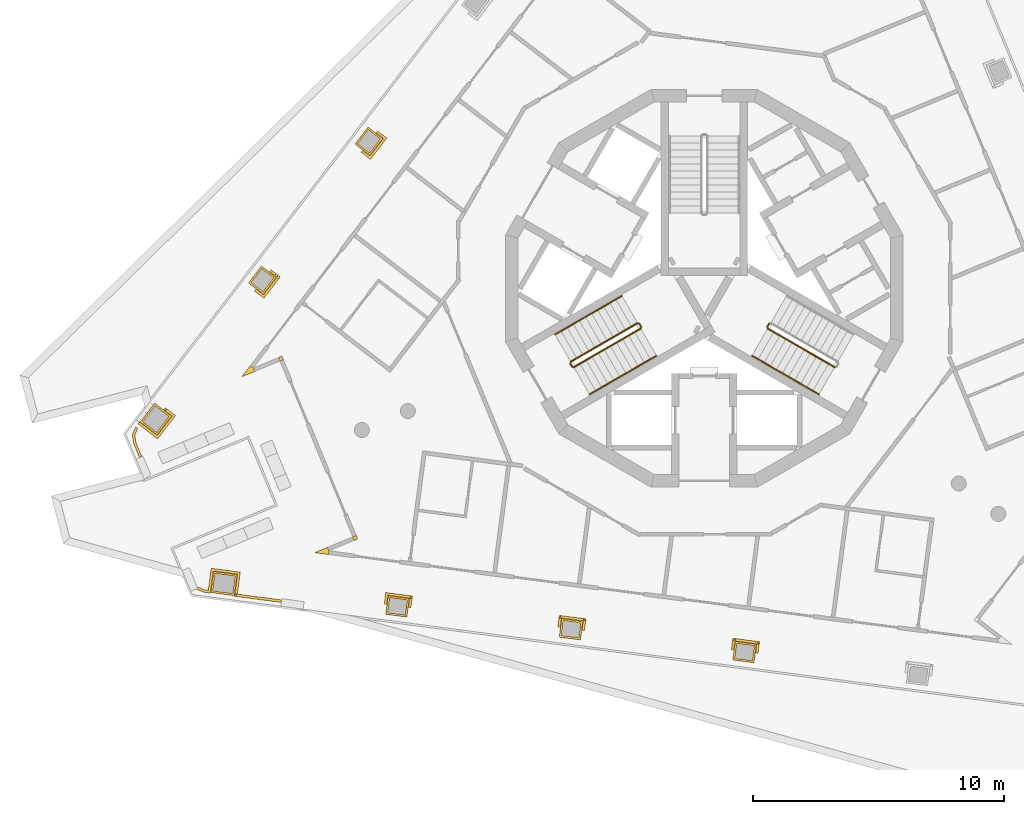
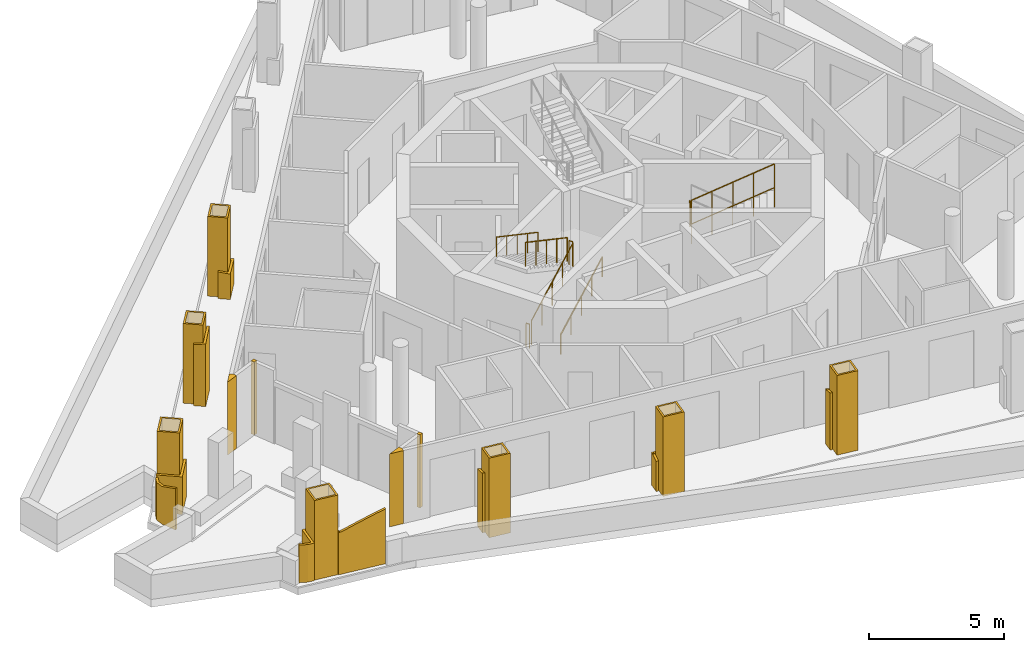
# One storey, part 8 of 12: 20 railings, 11 coverings.
"""IFC4 building model written with IfcOpenShell, lengths in metres."""

from ifc_helpers import new_model, si_unit, direction, frame, origin, origin_2d, place, context, subcontext, project, spatial, polyline, circle, outline, extrude, material, layer, layer_set, type_object, element, save


model = new_model("IFC4")

# Units and contexts
model_context = context("Model", 3, precision=1e-05, world=origin(), true_north=direction((0.0, 1.0)))
body_context = subcontext(model_context, "Body", "Model", "MODEL_VIEW")
ifc_project = project(units=[si_unit("LENGTHUNIT", "METRE"), si_unit("AREAUNIT", "SQUARE_METRE"), si_unit("VOLUMEUNIT", "CUBIC_METRE"), si_unit("PLANEANGLEUNIT", "RADIAN"), si_unit("MASSUNIT", "GRAM", prefix="KILO")], contexts=[model_context])

# Site, building, storey
site_placement = place(None, origin())
site = spatial("IfcSite", under=ifc_project, at=site_placement, CompositionType="ELEMENT")
building_placement = place(site_placement, origin())
building = spatial("IfcBuilding", under=site, at=building_placement, Name="Trine Commons Tower", CompositionType="ELEMENT")
storey_placement = place(building_placement, frame((0.0, 0.0, 271.800048828125)))
storey = spatial("IfcBuildingStorey", under=building, at=storey_placement, Name="L71", CompositionType="ELEMENT", Elevation=271.800048828125)

# Coverings
ifc_material_1 = material(Name="Aluminium-framed insulated wall panel", Category="aluminium")
ifc_layer_1 = layer(ifc_material_1, 0.14990234375)
ifc_layer_set_1 = layer_set([ifc_layer_1], Name="Aluminium-framed insulated wall panel")
covering_type_1 = type_object("IfcCoveringType", Name="Glazing corner post, aluminium", PredefinedType="CLADDING", material=ifc_layer_set_1)
covering_1_placement = place(storey_placement, origin())
element("IfcCovering", 1, at=covering_1_placement, inside=storey, type_object=covering_type_1, Name="Glazing corner post 8-01", PredefinedType="CLADDING", context=body_context, shape_type="SweptSolid", body=[
    extrude(outline(polyline([(62.0380859375, 59.324462890625), (61.919189453125, 59.416015625), (61.578369140625, 58.9716796875), (62.095458984375, 59.18603515625), (62.0380859375, 59.324462890625), (62.0380859375, 59.324462890625)])), origin(), (0.0, 0.0, 1.0), 3.300048828125),
])
covering_2_placement = place(storey_placement, origin())
element("IfcCovering", 2, at=covering_2_placement, inside=storey, type_object=covering_type_1, Name="Glazing corner post 8-10", PredefinedType="CLADDING", context=body_context, shape_type="SweptSolid", body=[
    extrude(outline(polyline([(65.033935546875, 51.895751953125), (65.0537109375, 52.04443359375), (64.99609375, 52.18310546875), (64.47900390625, 51.96875), (65.033935546875, 51.895751953125)])), origin(), (0.0, 0.0, 1.0), 3.300048828125),
])
covering_3_placement = place(storey_placement, origin())
element("IfcCovering", 3, at=covering_3_placement, inside=storey, type_object=covering_type_1, Name="Glazing corner post 8-11", PredefinedType="CLADDING", context=body_context, shape_type="SweptSolid", body=[
    extrude(outline(polyline([(66.056640625, 52.4599609375), (66.1953125, 52.517333984375), (66.137939453125, 52.65576171875), (65.999267578125, 52.598388671875), (66.056640625, 52.4599609375)])), origin(), (0.0, 0.0, 1.0), 3.300048828125),
])
covering_4_placement = place(storey_placement, origin())
element("IfcCovering", 4, at=covering_4_placement, inside=storey, type_object=covering_type_1, Name="Glazing corner post 8-12", PredefinedType="CLADDING", context=body_context, shape_type="SweptSolid", body=[
    extrude(outline(polyline([(63.041015625, 59.739990234375), (63.098388671875, 59.601318359375), (63.237060546875, 59.658935546875), (63.1796875, 59.79736328125), (63.041015625, 59.739990234375)])), origin(), (0.0, 0.0, 1.0), 3.300048828125),
])
ifc_material_2 = material(Name="Limestone, honed", Category="masonry")
ifc_layer_2 = layer(ifc_material_2, 0.074951171875)
ifc_layer_set_2 = layer_set([ifc_layer_2], Name="Limestone, honed")
covering_type_2 = type_object("IfcCoveringType", Name="Limestone column cladding 75", PredefinedType="CLADDING", material=ifc_layer_set_2)
covering_5_placement = place(storey_placement, origin())
element("IfcCovering", 5, at=covering_5_placement, inside=storey, type_object=covering_type_2, Name="Limestone pier cladding 8-03", PredefinedType="CLADDING", context=body_context, shape_type="SweptSolid", body=[
    extrude(outline(polyline([(81.236328125, 48.436279296875), (81.138427734375, 47.692626953125), (81.981201171875, 47.581787109375), (82.0791015625, 48.3251953125), (81.236328125, 48.436279296875)]), holes=[polyline([(81.30078125, 48.35205078125), (81.222412109375, 47.75732421875), (81.91650390625, 47.666015625), (81.994873046875, 48.2607421875), (81.30078125, 48.35205078125)])]), origin(), (0.0, 0.0, 1.0), 3.599853515625),
])
covering_6_placement = place(storey_placement, origin())
element("IfcCovering", 6, at=covering_6_placement, inside=storey, type_object=covering_type_2, Name="Limestone pier cladding 8-04", PredefinedType="CLADDING", context=body_context, shape_type="SweptSolid", body=[
    extrude(outline(polyline([(74.3232421875, 49.346435546875), (74.225341796875, 48.602783203125), (75.068115234375, 48.49169921875), (75.166015625, 49.2353515625), (74.3232421875, 49.346435546875)]), holes=[polyline([(74.3876953125, 49.26220703125), (74.309326171875, 48.66748046875), (75.00341796875, 48.575927734375), (75.081787109375, 49.1708984375), (74.3876953125, 49.26220703125)])]), origin(), (0.0, 0.0, 1.0), 3.599853515625),
])
covering_7_placement = place(storey_placement, origin())
element("IfcCovering", 7, at=covering_7_placement, inside=storey, type_object=covering_type_2, Name="Limestone pier cladding 8-05", PredefinedType="CLADDING", context=body_context, shape_type="SweptSolid", body=[
    extrude(outline(polyline([(67.41015625, 50.256591796875), (67.312255859375, 49.512939453125), (68.15478515625, 49.40185546875), (68.252685546875, 50.1455078125), (67.41015625, 50.256591796875)]), holes=[polyline([(67.474609375, 50.17236328125), (67.396240234375, 49.577392578125), (68.09033203125, 49.486083984375), (68.168701171875, 50.080810546875), (67.474609375, 50.17236328125)])]), origin(), (0.0, 0.0, 1.0), 3.599853515625),
])
covering_8_placement = place(storey_placement, origin())
element("IfcCovering", 8, at=covering_8_placement, inside=storey, type_object=covering_type_2, Name="Limestone pier cladding 8-06", PredefinedType="CLADDING", context=body_context, shape_type="SweptSolid", body=[
    extrude(outline(polyline([(60.4541015625, 51.22265625), (60.343017578125, 50.3798828125), (61.284912109375, 50.255859375), (61.39599609375, 51.0986328125), (60.4541015625, 51.22265625)]), holes=[polyline([(60.5185546875, 51.138427734375), (60.42724609375, 50.444580078125), (61.220458984375, 50.340087890625), (61.311767578125, 51.0341796875), (60.5185546875, 51.138427734375)])]), origin(), (0.0, 0.0, 1.0), 3.599853515625),
])
covering_9_placement = place(storey_placement, origin())
element("IfcCovering", 9, at=covering_9_placement, inside=storey, type_object=covering_type_2, Name="Limestone pier cladding 8-07", PredefinedType="CLADDING", context=body_context, shape_type="SweptSolid", body=[
    extrude(outline(polyline([(58.782958984375, 57.40673828125), (58.108642578125, 57.92431640625), (57.5302734375, 57.170654296875), (58.20458984375, 56.653076171875), (58.782958984375, 57.40673828125)]), holes=[polyline([(58.677734375, 57.39306640625), (58.122314453125, 57.819091796875), (57.635498046875, 57.184326171875), (58.19091796875, 56.75830078125), (58.677734375, 57.39306640625)])]), origin(), (0.0, 0.0, 1.0), 3.599853515625),
])
covering_10_placement = place(storey_placement, origin())
element("IfcCovering", 10, at=covering_10_placement, inside=storey, type_object=covering_type_2, Name="Limestone pier cladding 8-08", PredefinedType="CLADDING", context=body_context, shape_type="SweptSolid", body=[
    extrude(outline(polyline([(62.95751953125, 62.929443359375), (62.362548828125, 63.385986328125), (61.84521484375, 62.711669921875), (62.440185546875, 62.2548828125), (62.95751953125, 62.929443359375)]), holes=[polyline([(62.8525390625, 62.91552734375), (62.37646484375, 63.28076171875), (61.9501953125, 62.7255859375), (62.42626953125, 62.360107421875), (62.8525390625, 62.91552734375)])]), origin(), (0.0, 0.0, 1.0), 3.599853515625),
])
covering_11_placement = place(storey_placement, origin())
element("IfcCovering", 11, at=covering_11_placement, inside=storey, type_object=covering_type_2, Name="Limestone pier cladding 8-09", PredefinedType="CLADDING", context=body_context, shape_type="SweptSolid", body=[
    extrude(outline(polyline([(67.202392578125, 68.461181640625), (66.607421875, 68.91796875), (66.08984375, 68.243408203125), (66.684814453125, 67.786865234375), (67.202392578125, 68.461181640625)]), holes=[polyline([(67.09716796875, 68.447509765625), (66.62109375, 68.812744140625), (66.195068359375, 68.25732421875), (66.6708984375, 67.89208984375), (67.09716796875, 68.447509765625)])]), origin(), (0.0, 0.0, 1.0), 3.599853515625),
])

# Railings
ifc_material_3 = material(Name="Stainless steel balustrade", Category="steel")
railing_type_1 = type_object("IfcRailingType", Name="Stair guard, steel balustrade 1100", PredefinedType="GUARDRAIL", material=ifc_material_3)
railing_1_placement = place(storey_placement, frame((74.80517578125, 59.3564453125, 0.14990234375)))
element("IfcRailing", 12, at=railing_1_placement, inside=storey, type_object=railing_type_1, Name="L71 ST2D stair guard 1", PredefinedType="GUARDRAIL", context=body_context, shape_type="SweptSolid", body=[
    extrude(circle(Radius=0.02392578125, at=origin_2d()), frame((0.0, 0.0, 1.076171875), z_axis=(0.763379768245, 0.440728498818, 0.472239049384), x_axis=(-0.499992328818, 0.866029832698, 0.0)), (0.0, 0.0, 1.0), 3.494384765625),
    extrude(circle(Radius=0.02099609375, at=origin_2d()), origin(), (0.0, 0.0, 1.0), 1.052001953125),
    extrude(circle(Radius=0.02099609375, at=origin_2d()), frame((0.6669921875, 0.385009765625, 0.41259765625)), (0.0, 0.0, 1.0), 1.052001953125),
    extrude(circle(Radius=0.02099609375, at=origin_2d()), frame((1.333740234375, 0.77001953125, 0.8251953125)), (0.0, 0.0, 1.0), 1.052001953125),
    extrude(circle(Radius=0.02099609375, at=origin_2d()), frame((2.00048828125, 1.155029296875, 1.237548828125)), (0.0, 0.0, 1.0), 1.052001953125),
    extrude(circle(Radius=0.02099609375, at=origin_2d()), frame((2.66748046875, 1.5400390625, 1.650146484375)), (0.0, 0.0, 1.0), 1.052001953125),
])
railing_2_placement = place(storey_placement, frame((77.490966796875, 60.96484375, 1.800048828125)))
element("IfcRailing", 13, at=railing_2_placement, inside=storey, type_object=railing_type_1, Name="L71 ST2D stair guard 2", PredefinedType="GUARDRAIL", context=body_context, shape_type="SweptSolid", body=[
    extrude(circle(Radius=0.02392578125, at=origin_2d()), frame((0.0, 0.0, 1.076171875), z_axis=(-0.501036270542, 0.865426285481, 0.0), x_axis=(-0.865426285481, -0.501036270542, 0.0)), (0.0, 0.0, 1.0), 0.150146484375),
    extrude(circle(Radius=0.02099609375, at=origin_2d()), origin(), (0.0, 0.0, 1.0), 1.052001953125),
    extrude(circle(Radius=0.02099609375, at=origin_2d()), frame((-0.0751953125, 0.1298828125, 0.0)), (0.0, 0.0, 1.0), 1.052001953125),
])
railing_3_placement = place(storey_placement, frame((77.34765625, 61.113037109375, 1.949951171875)))
element("IfcRailing", 14, at=railing_3_placement, inside=storey, type_object=railing_type_1, Name="L71 ST2D stair guard 3", PredefinedType="GUARDRAIL", context=body_context, shape_type="SweptSolid", body=[
    extrude(circle(Radius=0.02392578125, at=origin_2d()), frame((0.0, 0.0, 1.076171875), z_axis=(-0.76340495495, -0.440743040072, 0.472184759798), x_axis=(0.499992328818, -0.866029832698, 0.0)), (0.0, 0.0, 1.0), 3.494140625),
    extrude(circle(Radius=0.02099609375, at=origin_2d()), origin(), (0.0, 0.0, 1.0), 1.052001953125),
    extrude(circle(Radius=0.02099609375, at=origin_2d()), frame((-0.6669921875, -0.385009765625, 0.41259765625)), (0.0, 0.0, 1.0), 1.052001953125),
    extrude(circle(Radius=0.02099609375, at=origin_2d()), frame((-1.333740234375, -0.77001953125, 0.824951171875)), (0.0, 0.0, 1.0), 1.052001953125),
    extrude(circle(Radius=0.02099609375, at=origin_2d()), frame((-2.00048828125, -1.155029296875, 1.2373046875)), (0.0, 0.0, 1.0), 1.052001953125),
    extrude(circle(Radius=0.02099609375, at=origin_2d()), frame((-2.66748046875, -1.5400390625, 1.64990234375)), (0.0, 0.0, 1.0), 1.052001953125),
])
railing_4_placement = place(storey_placement, frame((74.73681640625, 59.374755859375, 0.0)))
element("IfcRailing", 15, at=railing_4_placement, inside=storey, type_object=railing_type_1, Name="L71 ST2D stair guard 4", PredefinedType="GUARDRAIL", context=body_context, shape_type="SweptSolid", body=[
    extrude(circle(Radius=0.02392578125, at=origin_2d()), frame((0.0, 0.0, 1.076171875), z_axis=(-0.499816412211, 0.866131372301, 0.0), x_axis=(-0.866131372301, -0.499816412211, 0.0)), (0.0, 0.0, 1.0), 0.14990234375),
    extrude(circle(Radius=0.02099609375, at=origin_2d()), origin(), (0.0, 0.0, 1.0), 1.052001953125),
    extrude(circle(Radius=0.02099609375, at=origin_2d()), frame((-0.074951171875, 0.1298828125, 0.0)), (0.0, 0.0, 1.0), 1.052001953125),
])
railing_5_placement = place(storey_placement, frame((82.584228515625, 61.0947265625, 1.800048828125)))
element("IfcRailing", 16, at=railing_5_placement, inside=storey, type_object=railing_type_1, Name="L71 ST3D stair guard 2", PredefinedType="GUARDRAIL", context=body_context, shape_type="SweptSolid", body=[
    extrude(circle(Radius=0.02392578125, at=origin_2d()), frame((0.0, 0.0, 1.076171875), z_axis=(-0.501036270542, -0.865426285481, 0.0), x_axis=(0.865426285481, -0.501036270542, 0.0)), (0.0, 0.0, 1.0), 0.150146484375),
    extrude(circle(Radius=0.02099609375, at=origin_2d()), origin(), (0.0, 0.0, 1.0), 1.052001953125),
    extrude(circle(Radius=0.02099609375, at=origin_2d()), frame((-0.0751953125, -0.1298828125, 0.0)), (0.0, 0.0, 1.0), 1.052001953125),
])
railing_6_placement = place(storey_placement, frame((82.52734375, 60.896484375, 1.949951171875)))
element("IfcRailing", 17, at=railing_6_placement, inside=storey, type_object=railing_type_1, Name="L71 ST3D stair guard 3", PredefinedType="GUARDRAIL", context=body_context, shape_type="SweptSolid", body=[
    extrude(circle(Radius=0.02392578125, at=origin_2d()), frame((0.0, 0.0, 1.076171875), z_axis=(0.76340495495, -0.440743040072, 0.472184759798), x_axis=(0.499992328818, 0.866029832698, 0.0)), (0.0, 0.0, 1.0), 3.494140625),
    extrude(circle(Radius=0.02099609375, at=origin_2d()), origin(), (0.0, 0.0, 1.0), 1.052001953125),
    extrude(circle(Radius=0.02099609375, at=origin_2d()), frame((0.6669921875, -0.385009765625, 0.41259765625)), (0.0, 0.0, 1.0), 1.052001953125),
    extrude(circle(Radius=0.02099609375, at=origin_2d()), frame((1.333740234375, -0.77001953125, 0.824951171875)), (0.0, 0.0, 1.0), 1.052001953125),
    extrude(circle(Radius=0.02099609375, at=origin_2d()), frame((2.00048828125, -1.155029296875, 1.2373046875)), (0.0, 0.0, 1.0), 1.052001953125),
    extrude(circle(Radius=0.02099609375, at=origin_2d()), frame((2.66748046875, -1.5400390625, 1.64990234375)), (0.0, 0.0, 1.0), 1.052001953125),
])
ifc_material_4 = material(Name="Stainless steel handrail", Category="steel")
railing_type_2 = type_object("IfcRailingType", Name="Stair handrail, steel 900", PredefinedType="HANDRAIL", material=ifc_material_4)
railing_7_placement = place(storey_placement, frame((75.43017578125, 58.27392578125, 0.14990234375)))
element("IfcRailing", 18, at=railing_7_placement, inside=storey, type_object=railing_type_2, Name="L71 ST2D stair handrail 1", PredefinedType="HANDRAIL", context=body_context, shape_type="SweptSolid", body=[
    extrude(circle(Radius=0.02099609375, at=origin_2d()), frame((0.0, 0.0, 0.87890625), z_axis=(0.76340495495, 0.440743040072, 0.472184759798), x_axis=(-0.499992328818, 0.866029832698, 0.0)), (0.0, 0.0, 1.0), 1.7470703125),
    extrude(circle(Radius=0.01513671875, at=origin_2d()), origin(), (0.0, 0.0, 1.0), 0.85791015625),
    extrude(circle(Radius=0.01513671875, at=origin_2d()), frame((0.6669921875, 0.385009765625, 0.41259765625)), (0.0, 0.0, 1.0), 0.85791015625),
    extrude(circle(Radius=0.01513671875, at=origin_2d()), frame((1.333740234375, 0.77001953125, 0.824951171875)), (0.0, 0.0, 1.0), 0.85791015625),
])
railing_8_placement = place(storey_placement, frame((76.763916015625, 59.0439453125, 0.974853515625)))
element("IfcRailing", 19, at=railing_8_placement, inside=storey, type_object=railing_type_2, Name="L71 ST2D stair handrail 2", PredefinedType="HANDRAIL", context=body_context, shape_type="SweptSolid", body=[
    extrude(circle(Radius=0.02099609375, at=origin_2d()), frame((0.0, 0.0, 0.87890625), z_axis=(0.763354580307, 0.440713956853, 0.472293333596), x_axis=(-0.499992328818, 0.866029832698, 0.0)), (0.0, 0.0, 1.0), 1.747314453125),
    extrude(circle(Radius=0.01513671875, at=origin_2d()), origin(), (0.0, 0.0, 1.0), 0.85791015625),
    extrude(circle(Radius=0.01513671875, at=origin_2d()), frame((0.6669921875, 0.385009765625, 0.41259765625)), (0.0, 0.0, 1.0), 0.85791015625),
    extrude(circle(Radius=0.01513671875, at=origin_2d()), frame((1.333740234375, 0.77001953125, 0.8251953125)), (0.0, 0.0, 1.0), 0.85791015625),
])
for number, where, name in (
    (20, (76.72265625, 62.195556640625, 1.949951171875), "L71 ST2D stair handrail 3"),
    (21, (75.388916015625, 61.425537109375, 2.77490234375), "L71 ST2D stair handrail 4"),
):
    element("IfcRailing", number, at=place(storey_placement, frame(where)), inside=storey, type_object=railing_type_2, Name=name, PredefinedType="HANDRAIL", context=body_context, shape_type="SweptSolid", body=[
        extrude(circle(Radius=0.02099609375, at=origin_2d()), frame((0.0, 0.0, 0.87890625), z_axis=(-0.76340495495, -0.440743040072, 0.472184759798), x_axis=(0.499992328818, -0.866029832698, 0.0)), (0.0, 0.0, 1.0), 1.7470703125),
        extrude(circle(Radius=0.01513671875, at=origin_2d()), origin(), (0.0, 0.0, 1.0), 0.85791015625),
        extrude(circle(Radius=0.01513671875, at=origin_2d()), frame((-0.6669921875, -0.385009765625, 0.41259765625)), (0.0, 0.0, 1.0), 0.85791015625),
        extrude(circle(Radius=0.01513671875, at=origin_2d()), frame((-1.333740234375, -0.77001953125, 0.824951171875)), (0.0, 0.0, 1.0), 0.85791015625),
    ])
for number, where, name in (
    (22, (81.90234375, 59.81396484375, 1.949951171875), "L71 ST3D stair handrail 3"),
    (23, (83.236083984375, 59.0439453125, 2.77490234375), "L71 ST3D stair handrail 4"),
):
    element("IfcRailing", number, at=place(storey_placement, frame(where)), inside=storey, type_object=railing_type_2, Name=name, PredefinedType="HANDRAIL", context=body_context, shape_type="SweptSolid", body=[
        extrude(circle(Radius=0.02099609375, at=origin_2d()), frame((0.0, 0.0, 0.87890625), z_axis=(0.76340495495, -0.440743040072, 0.472184759798), x_axis=(0.499992328818, 0.866029832698, 0.0)), (0.0, 0.0, 1.0), 1.7470703125),
        extrude(circle(Radius=0.01513671875, at=origin_2d()), origin(), (0.0, 0.0, 1.0), 0.85791015625),
        extrude(circle(Radius=0.01513671875, at=origin_2d()), frame((0.6669921875, -0.385009765625, 0.41259765625)), (0.0, 0.0, 1.0), 0.85791015625),
        extrude(circle(Radius=0.01513671875, at=origin_2d()), frame((1.333740234375, -0.77001953125, 0.824951171875)), (0.0, 0.0, 1.0), 0.85791015625),
    ])
ifc_material_5 = material(Name="White powder-coated aluminium", Category="aluminium")
ifc_layer_3 = layer(ifc_material_5, 0.10009765625)
ifc_layer_set_3 = layer_set([ifc_layer_3], Name="White powder-coated aluminium")
railing_type_3 = type_object("IfcRailingType", Name="White balustrade band 100", PredefinedType="GUARDRAIL", material=ifc_layer_set_3)
railing_9_placement = place(storey_placement, origin())
element("IfcRailing", 24, at=railing_9_placement, inside=storey, type_object=railing_type_3, Name="Guard band L71 2", PredefinedType="GUARDRAIL", context=body_context, shape_type="SweptSolid", body=[
    extrude(outline(polyline([(0.0, 0.0), (0.466064453125, 0.0), (0.46630859375, 2.18603515625), (0.466064453125, 2.18603515625), (0.0, 2.030517578125), (0.0, 0.0)])), frame((82.042724609375, 47.97216796875, 0.0), z_axis=(0.99145964274, -0.130413867429, 0.0), x_axis=(0.130413867429, 0.99145964274, 0.0)), (0.0, 0.0, 1.0), 0.10009765625),
    extrude(outline(polyline([(0.0, 0.0), (1.07177734375, 0.0), (1.071533203125, 2.48583984375), (0.535888671875, 2.32568359375), (0.0, 2.15234375), (0.0, 0.0)])), frame((82.189697265625, 48.32080078125, 0.0), z_axis=(0.130537014958, 0.991443436473, 0.0), x_axis=(-0.991443436473, 0.130537014958, 0.0)), (0.0, 0.0, 1.0), 0.10009765625),
    extrude(outline(polyline([(0.0, 0.0), (0.465576171875, 0.0), (0.465576171875, 2.583984375), (0.0, 2.456787109375), (0.0, 0.0)])), frame((81.24072265625, 48.547119140625, 0.0), z_axis=(-0.991441799286, 0.130549448981, 0.0), x_axis=(-0.130549448981, -0.991441799286, 0.0)), (0.0, 0.0, 1.0), 0.10009765625),
])
railing_10_placement = place(storey_placement, origin())
element("IfcRailing", 25, at=railing_10_placement, inside=storey, type_object=railing_type_3, Name="Guard band L71 3", PredefinedType="GUARDRAIL", context=body_context, shape_type="SweptSolid", body=[
    extrude(outline(polyline([(0.0, 0.0), (0.465576171875, 0.0), (0.4658203125, 1.73876953125), (0.4658203125, 1.73876953125), (0.0, 1.8916015625), (0.0, 0.0)])), frame((75.12939453125, 48.88232421875, 0.0), z_axis=(0.991441799286, -0.130549448981, 0.0), x_axis=(0.130549448981, 0.991441799286, 0.0)), (0.0, 0.0, 1.0), 0.10009765625),
    extrude(outline(polyline([(0.0, 0.0), (1.072021484375, 0.0), (1.07177734375, 1.450439453125), (0.535888671875, 1.60302734375), (0.0, 1.771484375), (0.0, 0.0)])), frame((75.277099609375, 49.23095703125, 0.0), z_axis=(0.130507537947, 0.991447317077, 0.0), x_axis=(-0.991447317077, 0.130507537947, 0.0)), (0.0, 0.0, 1.0), 0.10009765625),
    extrude(outline(polyline([(0.0, 0.0), (0.46533203125, 0.0), (0.46533203125, 1.358642578125), (0.0, 1.4775390625), (0.0, 0.0)])), frame((74.32763671875, 49.45703125, 0.0), z_axis=(-0.991432856671, 0.130617344609, 0.0), x_axis=(-0.130617344609, -0.991432856671, 0.0)), (0.0, 0.0, 1.0), 0.10009765625),
])
railing_11_placement = place(storey_placement, origin())
element("IfcRailing", 26, at=railing_11_placement, inside=storey, type_object=railing_type_3, Name="Guard band L71 4", PredefinedType="GUARDRAIL", context=body_context, shape_type="SweptSolid", body=[
    extrude(outline(polyline([(0.0, 0.0), (0.466064453125, 0.0), (0.46630859375, 2.3349609375), (0.0, 2.18505859375), (0.0, 0.0)])), frame((68.21630859375, 49.79248046875, 0.0), z_axis=(0.991391792739, -0.130928657255, 0.0), x_axis=(0.130928657255, 0.991391792739, 0.0)), (0.0, 0.0, 1.0), 0.10009765625),
    extrude(outline(polyline([(0.0, 0.0), (1.072265625, 0.0), (1.072021484375, 2.609130859375), (0.5361328125, 2.46533203125), (0.0, 2.302734375), (0.0, 0.0)])), frame((68.364013671875, 50.14111328125, 0.0), z_axis=(0.130478074131, 0.991451195053, 0.0), x_axis=(-0.991451195053, 0.130478074131, 0.0)), (0.0, 0.0, 1.0), 0.10009765625),
    extrude(outline(polyline([(0.0, 0.0), (0.4658203125, 0.0), (0.4658203125, 2.693359375), (0.0, 2.58349609375), (0.0, 0.0)])), frame((67.41455078125, 50.36767578125, 0.0), z_axis=(-0.991450727966, 0.130481623289, 0.0), x_axis=(-0.130481623289, -0.991450727966, 0.0)), (0.0, 0.0, 1.0), 0.10009765625),
])
railing_12_placement = place(storey_placement, origin())
element("IfcRailing", 27, at=railing_12_placement, inside=storey, type_object=railing_type_3, Name="Guard band L71 5", PredefinedType="GUARDRAIL", context=body_context, shape_type="SweptSolid", body=[
    extrude(outline(polyline([(0.0, 0.0), (1.88818359375, 0.0), (1.88818359375, 1.876953125), (1.88818359375, 1.876953125), (1.131591796875, 2.13037109375), (0.374755859375, 2.37353515625), (0.0, 2.479248046875), (0.0, 0.0)])), frame((63.162841796875, 49.983642578125, 0.0), z_axis=(0.130461201889, 0.991453415346, 0.0), x_axis=(-0.991453415346, 0.130461201889, 0.0)), (0.0, 0.0, 1.0), 0.10009765625),
    extrude(outline(polyline([(0.0, 0.0), (0.986328125, 0.0), (0.986328125, 1.699951171875), (0.4931640625, 1.748046875), (0.0, 1.91064453125), (0.0, 0.0)])), frame((61.29150390625, 50.2294921875, 0.0), z_axis=(0.991453452929, -0.130460916278, 0.0), x_axis=(0.130460916278, 0.991453452929, 0.0)), (0.0, 0.0, 1.0), 0.10009765625),
    extrude(outline(polyline([(0.0, 0.0), (1.171630859375, 0.0), (1.171630859375, 1.699951171875), (0.585693359375, 1.699951171875), (0.0, 1.699951171875), (0.0, 0.0)])), frame((61.5068359375, 51.09423828125, 0.0), z_axis=(0.13044373202, 0.991455713977, 0.0), x_axis=(-0.991455713977, 0.13044373202, 0.0)), (0.0, 0.0, 1.0), 0.10009765625),
    extrude(outline(polyline([(0.0, 0.0), (0.98681640625, 0.0), (0.98681640625, 1.699951171875), (0.493408203125, 1.699951171875), (0.0, 1.699951171875), (0.0, 0.0)])), frame((60.45849609375, 51.333740234375, 0.0), z_axis=(-0.991466079122, 0.130364926072, 0.0), x_axis=(-0.130364926072, -0.991466079122, 0.0)), (0.0, 0.0, 1.0), 0.10009765625),
    extrude(outline(polyline([(0.0, 0.0), (0.261962890625, 0.0), (0.261962890625, 1.699951171875), (0.0, 1.699951171875), (0.0, 0.0)])), frame((60.330810546875, 50.3564453125, 0.0), z_axis=(0.130454512571, 0.991454295543, 0.0), x_axis=(-0.991454295543, 0.130454512571, 0.0)), (0.0, 0.0, 1.0), 0.10009765625),
    extrude(outline(polyline([(0.0, 0.0), (0.33251953125, 0.0), (0.33251953125, 1.699951171875), (0.0, 1.699951171875), (0.0, 0.0)])), frame((60.07275390625, 50.39013671875, 0.0), z_axis=(0.383259498687, 0.923640707563, 0.0), x_axis=(-0.923640707563, 0.383259498687, 0.0)), (0.0, 0.0, 1.0), 0.10009765625),
])
railing_13_placement = place(storey_placement, origin())
element("IfcRailing", 28, at=railing_13_placement, inside=storey, type_object=railing_type_3, Name="Guard band L71 6", PredefinedType="GUARDRAIL", context=body_context, shape_type="SweptSolid", body=[
    extrude(outline(polyline([(0.0, 0.0), (0.633544921875, 0.0), (0.633544921875, 1.699951171875), (0.0, 1.8681640625), (0.0, 0.0)])), frame((57.5048828125, 55.7548828125, 0.0), z_axis=(0.923861804277, 0.382726229306, 0.0), x_axis=(-0.382726229306, 0.923861804277, 0.0)), (0.0, 0.0, 1.0), 0.10009765625),
    extrude(outline(polyline([(0.0, 0.0), (0.33154296875, 0.0), (0.33154296875, 1.699951171875), (0.0, 1.699951171875), (0.0, 0.0)])), frame((57.262939453125, 56.33837890625, 0.0), z_axis=(0.991464321211, 0.13037829484, 0.0), x_axis=(-0.13037829484, 0.991464321211, 0.0)), (0.0, 0.0, 1.0), 0.10009765625),
    extrude(outline(polyline([(0.0, 0.0), (0.331787109375, 0.0), (0.331787109375, 1.699951171875), (0.0, 1.699951171875), (0.0, 0.0)])), frame((57.2197265625, 56.665771484375, 0.0), z_axis=(0.923945120737, -0.382525049986, 0.0), x_axis=(0.382525049986, 0.923945120737, 0.0)), (0.0, 0.0, 1.0), 0.10009765625),
])
railing_14_placement = place(storey_placement, origin())
element("IfcRailing", 29, at=railing_14_placement, inside=storey, type_object=railing_type_3, Name="Guard band L71 7", PredefinedType="GUARDRAIL", context=body_context, shape_type="SweptSolid", body=[
    extrude(outline(polyline([(0.0, 0.0), (0.98681640625, 0.0), (0.98681640625, 1.699951171875), (0.493408203125, 1.699951171875), (0.0, 1.699951171875), (0.0, 0.0)])), frame((57.50390625, 57.178466796875, 0.0), z_axis=(-0.608909312249, -0.793239843588, 0.0), x_axis=(0.793239843588, -0.608909312249, 0.0)), (0.0, 0.0, 1.0), 0.10009765625),
    extrude(outline(polyline([(0.0, 0.0), (1.172119140625, 0.0), (1.172119140625, 1.699951171875), (0.5859375, 1.699951171875), (0.0, 1.699951171875), (0.0, 0.0)])), frame((58.14501953125, 56.55908203125, 0.0), z_axis=(0.793428635243, -0.60866329015, 0.0), x_axis=(0.60866329015, 0.793428635243, 0.0)), (0.0, 0.0, 1.0), 0.10009765625),
    extrude(outline(polyline([(0.0, 0.0), (0.51513671875, 0.0), (0.515380859375, 1.6474609375), (0.493408203125, 1.6572265625), (0.43994140625, 1.680419921875), (0.0, 1.699951171875), (0.0, 0.0)])), frame((58.87646484375, 57.347412109375, 0.0), z_axis=(0.608908940239, 0.793240129152, 0.0), x_axis=(-0.793240129152, 0.608908940239, 0.0)), (0.0, 0.0, 1.0), 0.10009765625),
])
railing_15_placement = place(storey_placement, origin())
element("IfcRailing", 30, at=railing_15_placement, inside=storey, type_object=railing_type_3, Name="Guard band L71 8", PredefinedType="GUARDRAIL", context=body_context, shape_type="SweptSolid", body=[
    extrude(outline(polyline([(0.0, 0.0), (0.466064453125, 0.0), (0.4658203125, 2.828125), (0.0, 2.754638671875), (0.0, 0.0)])), frame((62.15234375, 62.46337890625, 0.0), z_axis=(-0.608849459393, -0.793285784441, 0.0), x_axis=(0.793285784441, -0.608849459393, 0.0)), (0.0, 0.0, 1.0), 0.10009765625),
    extrude(outline(polyline([(0.0, 0.0), (1.071533203125, 0.0), (1.071533203125, 2.899169921875), (0.535888671875, 2.874267578125), (0.0, 2.814208984375), (0.0, 0.0)])), frame((62.380615234375, 62.1611328125, 0.0), z_axis=(0.793334916548, -0.608785438546, 0.0), x_axis=(0.608785438546, 0.793334916548, 0.0)), (0.0, 0.0, 1.0), 0.10009765625),
    extrude(outline(polyline([(0.0, 0.0), (0.466064453125, 0.0), (0.466064453125, 2.780029296875), (0.20849609375, 2.780029296875), (0.0, 2.897216796875), (0.0, 0.0)])), frame((63.0517578125, 62.86962890625, 0.0), z_axis=(0.608596462007, 0.793479896678, 0.0), x_axis=(-0.793479896678, 0.608596462007, 0.0)), (0.0, 0.0, 1.0), 0.10009765625),
])
railing_16_placement = place(storey_placement, origin())
element("IfcRailing", 31, at=railing_16_placement, inside=storey, type_object=railing_type_3, Name="Guard band L71 9", PredefinedType="GUARDRAIL", context=body_context, shape_type="SweptSolid", body=[
    extrude(outline(polyline([(0.0, 0.0), (0.46630859375, 0.0), (0.46630859375, 1.144287109375), (0.46630859375, 1.144287109375), (0.0, 1.205810546875), (0.0, 0.0)])), frame((66.397216796875, 67.995361328125, 0.0), z_axis=(-0.608926062235, -0.793226985629, 0.0), x_axis=(0.793226985629, -0.608926062235, 0.0)), (0.0, 0.0, 1.0), 0.10009765625),
    extrude(outline(polyline([(0.0, 0.0), (1.072021484375, 0.0), (1.072021484375, 1.100830078125), (0.946533203125, 1.099853515625), (0.535888671875, 1.110595703125), (0.0, 1.15576171875), (0.0, 0.0)])), frame((66.62548828125, 67.693115234375, 0.0), z_axis=(0.793503708153, -0.608565415668, 0.0), x_axis=(0.608565415668, 0.793503708153, 0.0)), (0.0, 0.0, 1.0), 0.10009765625),
    extrude(outline(polyline([(0.0, 0.0), (0.466064453125, 0.0), (0.4658203125, 1.114990234375), (0.0, 1.099853515625), (0.0, 0.0)])), frame((67.29638671875, 68.401611328125, 0.0), z_axis=(0.608849459393, 0.793285784441, 0.0), x_axis=(-0.793285784441, 0.608849459393, 0.0)), (0.0, 0.0, 1.0), 0.10009765625),
])

save(model, "model.ifc")
